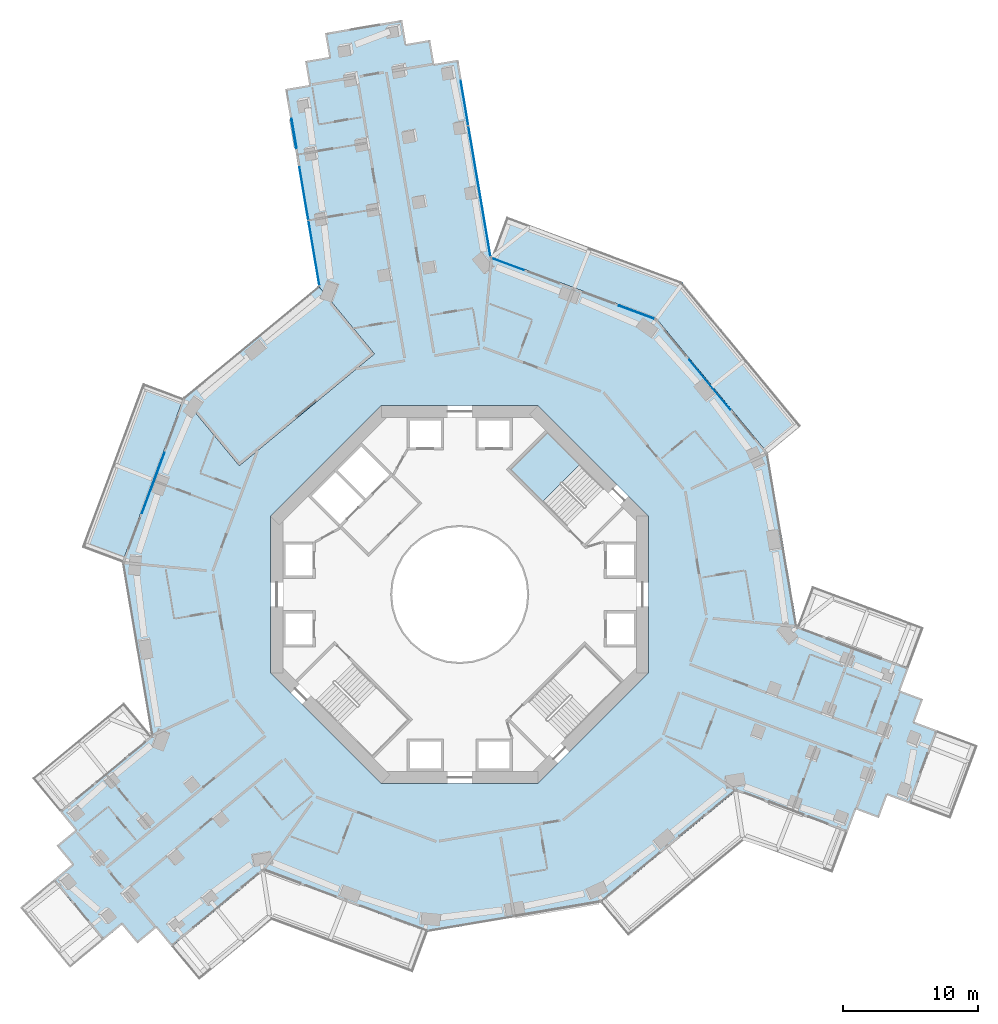
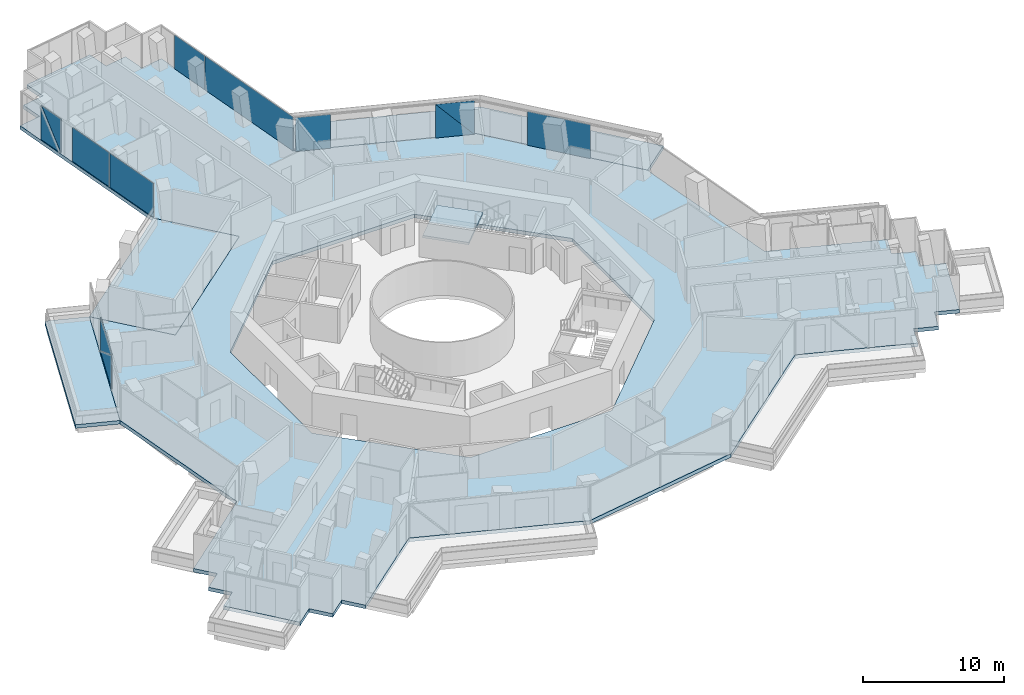
# One storey, part 16 of 27: 12 plates, 5 slabs, 6 elements without a shape of their own.
"""IFC4 building model written with IfcOpenShell, lengths in metres."""

from ifc_helpers import new_model, si_unit, direction, frame, origin, origin_2d, place, context, subcontext, project, spatial, polyline, rectangle, outline, extrude, material, layer, layer_set, type_object, element, aggregate, save


model = new_model("IFC4")

# Units and contexts
model_context = context("Model", 3, precision=1e-05, world=origin(), true_north=direction((0.0, 1.0)))
body_context = subcontext(model_context, "Body", "Model", "MODEL_VIEW")
ifc_project = project(units=[si_unit("LENGTHUNIT", "METRE"), si_unit("AREAUNIT", "SQUARE_METRE"), si_unit("VOLUMEUNIT", "CUBIC_METRE"), si_unit("PLANEANGLEUNIT", "RADIAN"), si_unit("MASSUNIT", "GRAM", prefix="KILO")], contexts=[model_context])

# Site, building, storey
site_placement = place(None, origin())
site = spatial("IfcSite", under=ifc_project, at=site_placement, CompositionType="ELEMENT")
building_placement = place(site_placement, origin())
building = spatial("IfcBuilding", under=site, at=building_placement, Name="Verdalira Terraces Hotel", CompositionType="ELEMENT")
storey_placement = place(building_placement, frame((0.0, 0.0, 71.5)))
storey = spatial("IfcBuildingStorey", under=building, at=storey_placement, Name="L16", CompositionType="ELEMENT", Elevation=71.5)

# Slabs
ifc_material_1 = material(Name="Precast concrete C40/50", Category="concrete")
ifc_layer_1 = layer(ifc_material_1, 0.31005859375)
ifc_layer_set_1 = layer_set([ifc_layer_1], Name="Balcony deck 310")
slab_type_1 = type_object("IfcSlabType", Name="Balcony deck 310", PredefinedType="FLOOR", material=ifc_layer_set_1)
slab_1_placement = place(storey_placement, frame((0.0, 0.0, -0.310059)))
element("IfcSlab", 1, at=slab_1_placement, inside=storey, type_object=slab_type_1, Name="Balcony deck", PredefinedType="FLOOR", context=body_context, shape_type="SweptSolid", body=[
    extrude(outline(polyline([(-28.001953, 3.47876), (-25.002686, 2.363525), (-20.471191, 14.548096), (-23.470459, 15.663574), (-28.001953, 3.47876)])), origin(), (0.0, 0.0, 1.0), 0.310059),
])
slab_2_placement = place(storey_placement, frame((0.0, 0.0, -0.310059)))
element("IfcSlab", 2, at=slab_2_placement, inside=storey, type_object=slab_type_1, Name="Balcony deck", PredefinedType="FLOOR", context=body_context, shape_type="SweptSolid", body=[
    extrude(outline(polyline([(3.47876, 28.001953), (2.363525, 25.002686), (14.548096, 20.471191), (22.834717, 10.45459), (25.300293, 12.494141), (16.467285, 23.171631), (3.47876, 28.001953)])), origin(), (0.0, 0.0, 1.0), 0.310059),
])

# Curtain wall, plates
ifc_material_2 = material(Name="Clear glass", Category="glass")
ifc_layer_2 = layer(ifc_material_2, 0.14990234375)
ifc_layer_set_2 = layer_set([ifc_layer_2], Name="CW1 curtain wall")
curtain_wall_type_1 = type_object("IfcCurtainWallType", Name="CW1 curtain wall", PredefinedType="NOTDEFINED", material=ifc_layer_set_2)
curtain_wall_1_placement = place(storey_placement, origin())
curtain_wall_1 = element("IfcCurtainWall", 3, at=curtain_wall_1_placement, inside=storey, type_object=curtain_wall_type_1, Name="CW1 curtain wall L16 edge 12", PredefinedType="NOTDEFINED")
ifc_material_3 = material(Name="Clear glass", Category="glass")
ifc_layer_3 = layer(ifc_material_3, 0.028076171875)
ifc_layer_set_3 = layer_set([ifc_layer_3], Name="CW1 glass unit 28")
plate_type_1 = type_object("IfcPlateType", Name="CW1 glass unit 28", PredefinedType="CURTAIN_PANEL", material=ifc_layer_set_3)
plate_1_placement = place(storey_placement, frame((-22.711914, 8.267334, 1.467529), z_axis=(-0.937281989, 0.348572047, 0.0), x_axis=(-0.348572047, -0.937281989, 0.0)))
plate_1 = element("IfcPlate", 4, at=plate_1_placement, type_object=plate_type_1, Name="CW1 glass unit", PredefinedType="CURTAIN_PANEL", context=body_context, shape_type="SweptSolid", body=[
    extrude(outline(polyline([(-2.390137, -1.467529), (2.390137, -1.467529), (2.390137, 1.467529), (-2.390137, -1.467529)])), origin(), (0.0, 0.0, 1.0), 0.028076),
])
plate_2_placement = place(storey_placement, frame((-22.684814, 8.25708, 1.467529), z_axis=(-0.937281989, 0.348572047, 0.0), x_axis=(-0.348572047, -0.937281989, 0.0)))
plate_2 = element("IfcPlate", 5, at=plate_2_placement, type_object=plate_type_1, Name="CW1 glass unit", PredefinedType="CURTAIN_PANEL", context=body_context, shape_type="SweptSolid", body=[
    extrude(outline(polyline([(-2.390137, -1.467529), (2.390137, 1.467529), (-2.390137, 1.467529), (-2.390137, -1.467529)])), origin(), (0.0, 0.0, 1.0), 0.028076),
])
aggregate(curtain_wall_1, [plate_1, plate_2])

# Curtain wall, plate
curtain_wall_2_placement = place(storey_placement, origin())
curtain_wall_2 = element("IfcCurtainWall", 6, at=curtain_wall_2_placement, inside=storey, type_object=curtain_wall_type_1, Name="CW1 curtain wall L16 edge 40", PredefinedType="NOTDEFINED")
plate_3_placement = place(storey_placement, frame((18.526611, 15.544434, 0.0), z_axis=(0.0, 0.0, 1.0), x_axis=(-0.63742399, 0.770513243, 0.0)))
plate_3 = element("IfcPlate", 7, at=plate_3_placement, type_object=plate_type_1, Name="CW1 glass unit", PredefinedType="CURTAIN_PANEL", context=body_context, shape_type="SweptSolid", body=[
    extrude(rectangle(XDim=4.780518, YDim=0.028076, at=origin_2d()), origin(), (0.0, 0.0, 1.0), 2.935059),
])
aggregate(curtain_wall_2, [plate_3])

# Curtain wall, plates
curtain_wall_3_placement = place(storey_placement, origin())
curtain_wall_3 = element("IfcCurtainWall", 8, at=curtain_wall_3_placement, inside=storey, type_object=curtain_wall_type_1, Name="CW1 curtain wall L16 edge 41", PredefinedType="NOTDEFINED")
plate_4_placement = place(storey_placement, frame((13.111084, 20.910645, 1.467529), z_axis=(0.348572047, 0.937281989, 0.0), x_axis=(-0.937281989, 0.348572047, 0.0)))
plate_4 = element("IfcPlate", 9, at=plate_4_placement, type_object=plate_type_1, Name="CW1 glass unit", PredefinedType="CURTAIN_PANEL", context=body_context, shape_type="SweptSolid", body=[
    extrude(outline(polyline([(-1.399902, -1.467529), (1.399902, -1.467529), (1.399902, 1.467529), (-1.399902, -1.467529)])), origin(), (0.0, 0.0, 1.0), 0.028076),
])
plate_5_placement = place(storey_placement, frame((13.10083, 20.883545, 1.467529), z_axis=(0.348572047, 0.937281989, 0.0), x_axis=(-0.937281989, 0.348572047, 0.0)))
plate_5 = element("IfcPlate", 10, at=plate_5_placement, type_object=plate_type_1, Name="CW1 glass unit", PredefinedType="CURTAIN_PANEL", context=body_context, shape_type="SweptSolid", body=[
    extrude(outline(polyline([(-1.399902, -1.467529), (1.399902, 1.467529), (-1.399902, 1.467529), (-1.399902, -1.467529)])), origin(), (0.0, 0.0, 1.0), 0.028076),
])
plate_6_placement = place(storey_placement, frame((3.565674, 24.475586, 0.0), z_axis=(0.0, 0.0, 1.0), x_axis=(-0.937281989, 0.348572047, 0.0)))
plate_6 = element("IfcPlate", 11, at=plate_6_placement, type_object=plate_type_1, Name="CW1 glass unit", PredefinedType="CURTAIN_PANEL", context=body_context, shape_type="SweptSolid", body=[
    extrude(rectangle(XDim=2.500977, YDim=0.028076, at=origin_2d()), origin(), (0.0, 0.0, 1.0), 2.935059),
])
aggregate(curtain_wall_3, [plate_4, plate_5, plate_6])

ifc_material_4 = material(Name="Clear glass", Category="glass")
ifc_layer_4 = layer(ifc_material_4, 0.14990234375)
ifc_layer_set_4 = layer_set([ifc_layer_4], Name="CW2 curtain wall")
curtain_wall_type_2 = type_object("IfcCurtainWallType", Name="CW2 curtain wall", PredefinedType="NOTDEFINED", material=ifc_layer_set_4)
curtain_wall_4_placement = place(storey_placement, origin())
curtain_wall_4 = element("IfcCurtainWall", 12, at=curtain_wall_4_placement, inside=storey, type_object=curtain_wall_type_2, Name="CW2 curtain wall L16 edge 0", PredefinedType="NOTDEFINED")
ifc_material_5 = material(Name="Clear glass", Category="glass")
ifc_layer_5 = layer(ifc_material_5, 0.031982421875)
ifc_layer_set_5 = layer_set([ifc_layer_5], Name="CW2 glass unit 32")
plate_type_2 = type_object("IfcPlateType", Name="CW2 glass unit 32", PredefinedType="CURTAIN_PANEL", material=ifc_layer_set_5)
plate_7_placement = place(storey_placement, frame((1.462646, 29.878174, 0.0), z_axis=(0.0, 0.0, 1.0), x_axis=(-0.166768747, 0.985996037, 0.0)))
plate_7 = element("IfcPlate", 13, at=plate_7_placement, type_object=plate_type_2, Name="CW2 glass unit", PredefinedType="CURTAIN_PANEL", context=body_context, shape_type="SweptSolid", body=[
    extrude(rectangle(XDim=9.774902, YDim=0.031982, at=origin_2d()), origin(), (0.0, 0.0, 1.0), 2.935059),
])
plate_8_placement = place(storey_placement, frame((0.357666, 36.411377, 0.0), z_axis=(0.0, 0.0, 1.0), x_axis=(-0.166768747, 0.985996037, 0.0)))
plate_8 = element("IfcPlate", 14, at=plate_8_placement, type_object=plate_type_2, Name="CW2 glass unit", PredefinedType="CURTAIN_PANEL", context=body_context, shape_type="SweptSolid", body=[
    extrude(rectangle(XDim=3.337158, YDim=0.031982, at=origin_2d()), origin(), (0.0, 0.0, 1.0), 2.935059),
])
aggregate(curtain_wall_4, [plate_7, plate_8])

curtain_wall_5_placement = place(storey_placement, origin())
curtain_wall_5 = element("IfcCurtainWall", 15, at=curtain_wall_5_placement, inside=storey, type_object=curtain_wall_type_2, Name="CW2 curtain wall L16 edge 10", PredefinedType="NOTDEFINED")
plate_9_placement = place(storey_placement, frame((-12.2771, 34.156738, 1.467529), z_axis=(-0.985996037, -0.166768747, 0.0), x_axis=(0.166768747, -0.985996037, 0.0)))
plate_9 = element("IfcPlate", 16, at=plate_9_placement, type_object=plate_type_2, Name="CW2 glass unit", PredefinedType="CURTAIN_PANEL", context=body_context, shape_type="SweptSolid", body=[
    extrude(outline(polyline([(-1.087402, -1.467529), (1.087402, -1.467529), (-1.087402, 1.467529), (-1.087402, -1.467529)])), origin(), (0.0, 0.0, 1.0), 0.031982),
])
plate_10_placement = place(storey_placement, frame((-12.244629, 34.162109, 1.467529), z_axis=(-0.985996037, -0.166768747, 0.0), x_axis=(0.166768747, -0.985996037, 0.0)))
plate_10 = element("IfcPlate", 17, at=plate_10_placement, type_object=plate_type_2, Name="CW2 glass unit", PredefinedType="CURTAIN_PANEL", context=body_context, shape_type="SweptSolid", body=[
    extrude(outline(polyline([(1.087402, -1.467529), (1.087402, 1.467529), (-1.087402, 1.467529), (1.087402, -1.467529)])), origin(), (0.0, 0.0, 1.0), 0.031982),
])
plate_11_placement = place(storey_placement, frame((-11.549316, 29.757812, 0.0), z_axis=(0.0, 0.0, 1.0), x_axis=(0.166768747, -0.985996037, 0.0)))
plate_11 = element("IfcPlate", 18, at=plate_11_placement, type_object=plate_type_2, Name="CW2 glass unit", PredefinedType="CURTAIN_PANEL", context=body_context, shape_type="SweptSolid", body=[
    extrude(rectangle(XDim=4.067627, YDim=0.031982, at=origin_2d()), origin(), (0.0, 0.0, 1.0), 2.935059),
])
plate_12_placement = place(storey_placement, frame((-10.79541, 25.299805, 0.0), z_axis=(0.0, 0.0, 1.0), x_axis=(0.166768747, -0.985996037, 0.0)))
plate_12 = element("IfcPlate", 19, at=plate_12_placement, type_object=plate_type_2, Name="CW2 glass unit", PredefinedType="CURTAIN_PANEL", context=body_context, shape_type="SweptSolid", body=[
    extrude(rectangle(XDim=4.834961, YDim=0.031982, at=origin_2d()), origin(), (0.0, 0.0, 1.0), 2.935059),
])
aggregate(curtain_wall_5, [plate_9, plate_10, plate_11, plate_12])

# Stair, slab
ifc_material_6 = material(Name="Concrete C40", Category="concrete")
stair_type = type_object("IfcStairType", Name="Core stair 20 risers 1900 mm wide", PredefinedType="HALF_TURN_STAIR", material=ifc_material_6)
stair_placement = place(storey_placement, origin())
stair = element("IfcStair", 20, at=stair_placement, inside=storey, type_object=stair_type, Name="L16 Exit stair ST1", PredefinedType="HALF_TURN_STAIR")
ifc_material_7 = material(Name="Concrete C40", Category="concrete")
ifc_layer_6 = layer(ifc_material_7, 0.199951171875)
ifc_layer_set_6 = layer_set([ifc_layer_6], Name="Core stair landing 200 mm")
slab_type_2 = type_object("IfcSlabType", Name="Core stair landing 200 mm", PredefinedType="LANDING", material=ifc_layer_set_6)
slab_3_placement = place(storey_placement, frame((0.0, 0.0, 1.550049)))
slab_3 = element("IfcSlab", 21, at=slab_3_placement, type_object=slab_type_2, Name="ST1 landing 1", PredefinedType="LANDING", context=body_context, shape_type="SweptSolid", body=[
    extrude(outline(polyline([(8.895752, 9.630371), (6.505371, 12.020752), (3.747559, 9.263184), (6.137939, 6.872803), (8.895752, 9.630371)])), origin(), (0.0, 0.0, 1.0), 0.199951),
])
aggregate(stair, [slab_3])

# Slabs
ifc_material_8 = material(Name="Concrete C40", Category="concrete")
ifc_layer_7 = layer(ifc_material_8, 0.31005859375)
ifc_layer_set_7 = layer_set([ifc_layer_7], Name="Floor slab 310 C40")
slab_type_3 = type_object("IfcSlabType", Name="Floor slab 310 C40", PredefinedType="FLOOR", material=ifc_layer_set_7)
slab_4_placement = place(storey_placement, frame((0.0, 0.0, -0.310059)))
element("IfcSlab", 22, at=slab_4_placement, inside=storey, type_object=slab_type_3, Name="Floor slab L16", PredefinedType="FLOOR", context=body_context, shape_type="SweptSolid", body=[
    extrude(outline(polyline([(-11.151123, 37.74707), (-12.926025, 37.447021), (-10.45459, 22.835205), (-10.454346, 22.835205), (-6.310547, 17.826172), (-16.327881, 9.539062), (-20.471436, 14.547607), (-25.002686, 2.363281), (-22.834717, -10.45459), (-29.630371, -16.076416), (-28.48291, -17.463379), (-29.869873, -18.610596), (-28.722656, -19.997803), (-30.109619, -21.14502), (-26.412354, -25.614014), (-25.025391, -24.466553), (-23.878174, -25.853516), (-22.491211, -24.706299), (-21.343994, -26.093018), (-14.548096, -20.471191), (-2.363281, -25.002686), (10.45459, -22.834717), (20.471191, -14.548096), (28.737793, -17.622314), (29.365234, -15.935303), (31.052246, -16.562744), (31.679688, -14.875732), (33.366943, -15.503174), (35.388672, -10.066895), (33.701416, -9.439453), (34.328857, -7.752197), (32.641846, -7.125), (33.269287, -5.437744), (25.002686, -2.363281), (22.834717, 10.45459), (14.548096, 20.471191), (2.363281, 25.002686), (-0.10791, 39.61499), (-1.882812, 39.314697), (-2.183105, 41.0896), (-3.957764, 40.789307), (-4.258057, 42.564209), (-9.976807, 41.59668), (-9.676514, 39.822021), (-11.451416, 39.521973), (-11.151123, 37.74707)]), holes=[polyline([(5.799072, 14.0), (14.0, 5.799072), (14.0, -5.799072), (5.799072, -14.0), (-5.799072, -14.0), (-14.0, -5.799072), (-14.0, 5.799072), (-5.799072, 14.0), (5.799072, 14.0)])]), origin(), (0.0, 0.0, 1.0), 0.310059),
])
ifc_material_9 = material(Name="Concrete C40", Category="concrete")
ifc_layer_8 = layer(ifc_material_9, 0.31005859375)
ifc_layer_set_8 = layer_set([ifc_layer_8], Name="Loggia floor deck 310 C40")
slab_type_4 = type_object("IfcSlabType", Name="Loggia floor deck 310 C40", PredefinedType="FLOOR", material=ifc_layer_set_8)
slab_5_placement = place(storey_placement, frame((0.0, 0.0, -0.310059)))
element("IfcSlab", 23, at=slab_5_placement, inside=storey, type_object=slab_type_4, Name="Loggia deck L16", PredefinedType="FLOOR", context=body_context, shape_type="SweptSolid", body=[
    extrude(outline(polyline([(-6.311279, 17.826416), (-10.45459, 22.834717), (-20.471191, 14.548096), (-16.327881, 9.539795), (-6.311279, 17.826416)])), origin(), (0.0, 0.0, 1.0), 0.310059),
])

save(model, "model.ifc")
